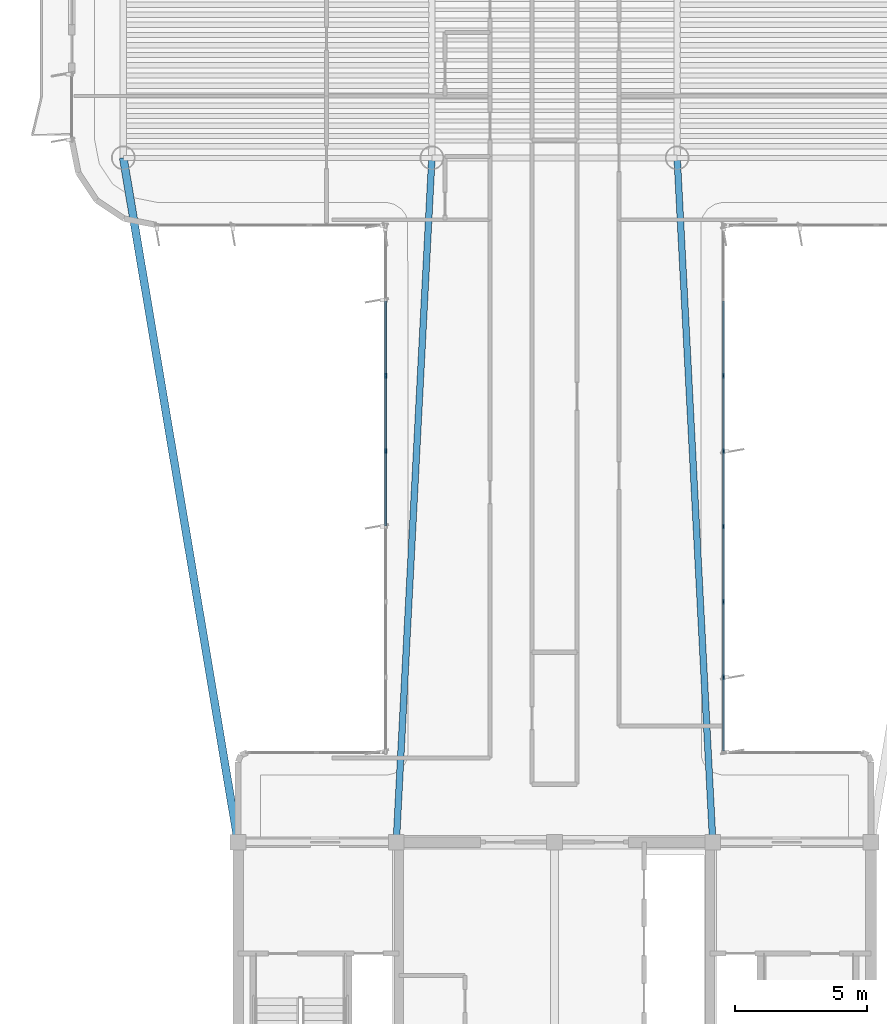
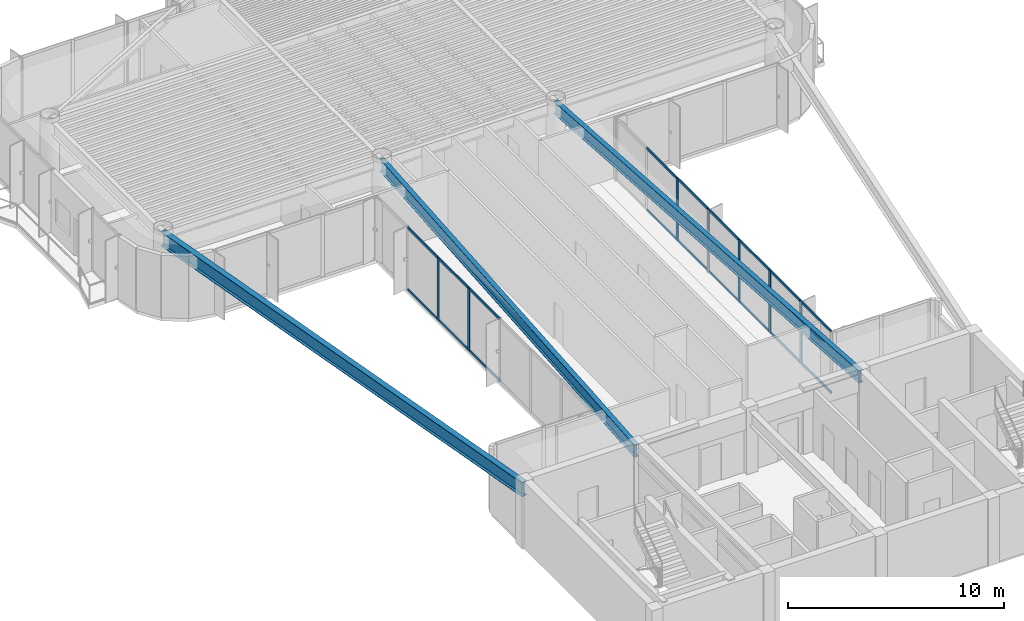
# One storey, part 3 of 15: 25 members, 3 beams, 2 elements without a shape of their own.
"""IFC4 building model written with IfcOpenShell, lengths in metres."""

from ifc_helpers import new_model, si_unit, direction, frame, origin, origin_2d, place, context, subcontext, project, spatial, rectangle, i_section, extrude, source, transform, mapped, material, layer, layer_set, material_profile, profile_set, type_object, element, aggregate, save


model = new_model("IFC4")

# Units and contexts
model_context = context("Model", 3, precision=1e-05, world=origin(), true_north=direction((0.0, 1.0)))
body_context = subcontext(model_context, "Body", "Model", "MODEL_VIEW")
ifc_project = project(units=[si_unit("LENGTHUNIT", "METRE"), si_unit("AREAUNIT", "SQUARE_METRE"), si_unit("VOLUMEUNIT", "CUBIC_METRE"), si_unit("PLANEANGLEUNIT", "RADIAN"), si_unit("MASSUNIT", "GRAM", prefix="KILO")], contexts=[model_context])

# Site, building, storey
site_placement = place(None, origin())
site = spatial("IfcSite", under=ifc_project, at=site_placement, CompositionType="ELEMENT")
building_placement = place(site_placement, origin())
building = spatial("IfcBuilding", under=site, at=building_placement, Name="Brelvock Crest Care Tower", CompositionType="ELEMENT")
storey_placement = place(building_placement, frame((0.0, 0.0, 268.3798828125)))
storey = spatial("IfcBuildingStorey", under=building, at=storey_placement, Name="L68", CompositionType="ELEMENT", Elevation=268.3798828125)

# Beams
ifc_material_1 = material(Name="Steel Grade 350", Category="steel")
ifc_material_profile_1 = material_profile(ifc_material_1, i_section(OverallWidth=0.25, OverallDepth=0.699951171875, WebThickness=0.011962890625, FlangeThickness=0.02001953125, at=origin_2d()), Name="700WB150")
ifc_profile_set_1 = profile_set([ifc_material_profile_1], Name="Steel Grade 350")
beam_type_1 = type_object("IfcBeamType", Name="BM-G4", PredefinedType="BEAM", material=ifc_profile_set_1)
shared_shape_1 = source(origin(), body_context, "Body", "SweptSolid", [
    extrude(i_section(OverallWidth=0.25, OverallDepth=0.699951171875, WebThickness=0.011962890625, FlangeThickness=0.02001953125, at=origin_2d()), origin(), (0.0, 0.0, 1.0), 25.985107421875),
])
for number, where, z_axis, x_axis, name in (
    (1, (30.0, 18.0, 3.18017578125), (0.051956711656, 0.998649337913, 0.0), (-0.998649337913, 0.051956711656, 0.0), "BM-THRW-L68"),
    (2, (42.0, 18.0, 3.18017578125), (-0.051956711656, 0.998649337913, 0.0), (-0.998649337913, -0.051956711656, 0.0), "BM-THRE-L68"),
):
    element("IfcBeam", number, at=place(storey_placement, frame(where, z_axis=z_axis, x_axis=x_axis)), inside=storey, type_object=beam_type_1, Name=name, PredefinedType="BEAM", context=body_context, shape_type="MappedRepresentation", body=[
        mapped(shared_shape_1, transform((0.0, 0.0, 0.0), x_axis=(1.0, 0.0, 0.0), y_axis=(0.0, 1.0, 0.0), z_axis=(0.0, 0.0, 1.0), scale=1.0)),
    ])
ifc_material_profile_2 = material_profile(ifc_material_1, i_section(OverallWidth=0.300048828125, OverallDepth=0.800048828125, WebThickness=0.013916015625, FlangeThickness=0.02197265625, at=origin_2d()), Name="800WB192")
ifc_profile_set_2 = profile_set([ifc_material_profile_2], Name="Steel Grade 350")
beam_type_2 = type_object("IfcBeamType", Name="BM-G5", PredefinedType="BEAM", material=ifc_profile_set_2)
shared_shape_2 = source(origin(), body_context, "Body", "SweptSolid", [
    extrude(i_section(OverallWidth=0.300048828125, OverallDepth=0.800048828125, WebThickness=0.013916015625, FlangeThickness=0.02197265625, at=origin_2d()), origin(), (0.0, 0.0, 1.0), 26.31201171875),
])
beam_placement = place(storey_placement, frame((24.0, 18.0, 3.130126953125), z_axis=(-0.165327282709, 0.986238758918, 0.0), x_axis=(-0.986238758918, -0.165327282709, 0.0)))
element("IfcBeam", 3, at=beam_placement, inside=storey, type_object=beam_type_2, Name="BM-THRO-W-L68", PredefinedType="BEAM", context=body_context, shape_type="MappedRepresentation", body=[
    mapped(shared_shape_2, transform((0.0, 0.0, 0.0), x_axis=(1.0, 0.0, 0.0), y_axis=(0.0, 1.0, 0.0), z_axis=(0.0, 0.0, 1.0), scale=1.0)),
])

# Curtain wall, members
ifc_material_2 = material(Name="Dark Glass Double Glazed Low-E", Category="glass")
ifc_layer = layer(ifc_material_2, 0.239990234375, Name="CWS-5")
ifc_layer_set = layer_set([ifc_layer], Name="Dark Glass Double Glazed Low-E")
curtain_wall_type = type_object("IfcCurtainWallType", Name="CWS-5", PredefinedType="NOTDEFINED", material=ifc_layer_set)
curtain_wall_1_placement = place(storey_placement, origin())
curtain_wall_1 = element("IfcCurtainWall", 4, at=curtain_wall_1_placement, inside=storey, type_object=curtain_wall_type, Name="L68 Curtain Wall E11", PredefinedType="NOTDEFINED")
ifc_material_3 = material(Name="Aluminium 6063-T6", Category="aluminium")
ifc_material_profile_3 = material_profile(ifc_material_3, rectangle(XDim=0.06005859375, YDim=0.179931640625, at=origin_2d()), Name="ALU60x180")
ifc_profile_set_3 = profile_set([ifc_material_profile_3], Name="Aluminium 6063-T6")
member_type_1 = type_object("IfcMemberType", Name="CWM-2", PredefinedType="MULLION", material=ifc_profile_set_3)
shared_shape_3 = source(origin(), body_context, "Body", "SweptSolid", [
    extrude(rectangle(XDim=0.06005859375, YDim=0.179931640625, at=origin_2d()), origin(), (0.0, 0.0, 1.0), 3.530029296875),
])
member_1_placement = place(storey_placement, frame((29.60009765625, 32.82861328125, 0.0), z_axis=(0.0, 0.0, 1.0), x_axis=(-1.0, 0.0, 0.0)))
member_1 = element("IfcMember", 5, at=member_1_placement, type_object=member_type_1, Name="CW-5 mullion 5", PredefinedType="MULLION", context=body_context, shape_type="MappedRepresentation", body=[
    mapped(shared_shape_3, transform((0.0, 0.0, 0.0), x_axis=(1.0, 0.0, 0.0), y_axis=(0.0, 1.0, 0.0), z_axis=(0.0, 0.0, 1.0), scale=1.0)),
])
member_2_placement = place(storey_placement, frame((29.60009765625, 35.685791015625, 0.0), z_axis=(0.0, 0.0, 1.0), x_axis=(-1.0, 0.0, 0.0)))
member_2 = element("IfcMember", 6, at=member_2_placement, type_object=member_type_1, Name="CW-5 mullion 6", PredefinedType="MULLION", context=body_context, shape_type="MappedRepresentation", body=[
    mapped(shared_shape_3, transform((0.0, 0.0, 0.0), x_axis=(1.0, 0.0, 0.0), y_axis=(0.0, 1.0, 0.0), z_axis=(0.0, 0.0, 1.0), scale=1.0)),
])

curtain_wall_2_placement = place(storey_placement, origin())
curtain_wall_2 = element("IfcCurtainWall", 7, at=curtain_wall_2_placement, inside=storey, type_object=curtain_wall_type, Name="L68 Curtain Wall E45", PredefinedType="NOTDEFINED")
member_3_placement = place(storey_placement, frame((42.39990234375, 35.685791015625, 0.0), z_axis=(0.0, 0.0, 1.0), x_axis=(1.0, 0.0, 0.0)))
member_3 = element("IfcMember", 8, at=member_3_placement, type_object=member_type_1, Name="CW-5 mullion 3", PredefinedType="MULLION", context=body_context, shape_type="MappedRepresentation", body=[
    mapped(shared_shape_3, transform((0.0, 0.0, 0.0), x_axis=(1.0, 0.0, 0.0), y_axis=(0.0, 1.0, 0.0), z_axis=(0.0, 0.0, 1.0), scale=1.0)),
])
member_4_placement = place(storey_placement, frame((42.39990234375, 32.82861328125, 0.0), z_axis=(0.0, 0.0, 1.0), x_axis=(1.0, 0.0, 0.0)))
member_4 = element("IfcMember", 9, at=member_4_placement, type_object=member_type_1, Name="CW-5 mullion 4", PredefinedType="MULLION", context=body_context, shape_type="MappedRepresentation", body=[
    mapped(shared_shape_3, transform((0.0, 0.0, 0.0), x_axis=(1.0, 0.0, 0.0), y_axis=(0.0, 1.0, 0.0), z_axis=(0.0, 0.0, 1.0), scale=1.0)),
])
member_5_placement = place(storey_placement, frame((42.39990234375, 29.971435546875, 0.0), z_axis=(0.0, 0.0, 1.0), x_axis=(1.0, 0.0, 0.0)))
member_5 = element("IfcMember", 10, at=member_5_placement, type_object=member_type_1, Name="CW-5 mullion 5", PredefinedType="MULLION", context=body_context, shape_type="MappedRepresentation", body=[
    mapped(shared_shape_3, transform((0.0, 0.0, 0.0), x_axis=(1.0, 0.0, 0.0), y_axis=(0.0, 1.0, 0.0), z_axis=(0.0, 0.0, 1.0), scale=1.0)),
])
member_6_placement = place(storey_placement, frame((42.39990234375, 27.1142578125, 0.0), z_axis=(0.0, 0.0, 1.0), x_axis=(1.0, 0.0, 0.0)))
member_6 = element("IfcMember", 11, at=member_6_placement, type_object=member_type_1, Name="CW-5 mullion 6", PredefinedType="MULLION", context=body_context, shape_type="MappedRepresentation", body=[
    mapped(shared_shape_3, transform((0.0, 0.0, 0.0), x_axis=(1.0, 0.0, 0.0), y_axis=(0.0, 1.0, 0.0), z_axis=(0.0, 0.0, 1.0), scale=1.0)),
])
member_7_placement = place(storey_placement, frame((42.39990234375, 24.257080078125, 0.0), z_axis=(0.0, 0.0, 1.0), x_axis=(1.0, 0.0, 0.0)))
member_7 = element("IfcMember", 12, at=member_7_placement, type_object=member_type_1, Name="CW-5 mullion 7", PredefinedType="MULLION", context=body_context, shape_type="MappedRepresentation", body=[
    mapped(shared_shape_3, transform((0.0, 0.0, 0.0), x_axis=(1.0, 0.0, 0.0), y_axis=(0.0, 1.0, 0.0), z_axis=(0.0, 0.0, 1.0), scale=1.0)),
])
ifc_material_profile_4 = material_profile(ifc_material_3, rectangle(XDim=0.06005859375, YDim=0.139892578125, at=origin_2d()), Name="ALU60x140")
ifc_profile_set_4 = profile_set([ifc_material_profile_4], Name="Aluminium 6063-T6")
member_type_2 = type_object("IfcMemberType", Name="CWT-2", PredefinedType="USERDEFINED", material=ifc_profile_set_4)
shared_shape_4 = source(origin(), body_context, "Body", "SweptSolid", [
    extrude(rectangle(XDim=0.06005859375, YDim=0.139892578125, at=origin_2d()), origin(), (0.0, 0.0, 1.0), 2.76708984375),
])
member_8_placement = place(storey_placement, frame((42.39990234375, 24.22705078125, 0.030029296875), z_axis=(0.0, -1.0, 0.0), x_axis=(1.0, 0.0, 0.0)))
member_8 = element("IfcMember", 13, at=member_8_placement, type_object=member_type_2, Name="CW-5 transom 7.1", ObjectType="TRANSOM", PredefinedType="USERDEFINED", context=body_context, shape_type="MappedRepresentation", body=[
    mapped(shared_shape_4, transform((0.0, 0.0, 0.0), x_axis=(1.0, 0.0, 0.0), y_axis=(0.0, 1.0, 0.0), z_axis=(0.0, 0.0, 1.0), scale=1.0)),
])
member_9_placement = place(storey_placement, frame((42.39990234375, 24.22705078125, 3.5), z_axis=(0.0, -1.0, 0.0), x_axis=(1.0, 0.0, 0.0)))
member_9 = element("IfcMember", 14, at=member_9_placement, type_object=member_type_2, Name="CW-5 transom 7.2", ObjectType="TRANSOM", PredefinedType="USERDEFINED", context=body_context, shape_type="MappedRepresentation", body=[
    mapped(shared_shape_4, transform((0.0, 0.0, 0.0), x_axis=(1.0, 0.0, 0.0), y_axis=(0.0, 1.0, 0.0), z_axis=(0.0, 0.0, 1.0), scale=1.0)),
])

# Member
shared_shape_5 = source(origin(), body_context, "Body", "SweptSolid", [
    extrude(rectangle(XDim=0.06005859375, YDim=0.139892578125, at=origin_2d()), origin(), (0.0, 0.0, 1.0), 2.797119140625),
])
member_10_placement = place(storey_placement, frame((29.60009765625, 30.00146484375, 0.030029296875), z_axis=(0.0, 1.0, 0.0), x_axis=(-1.0, 0.0, 0.0)))
member_10 = element("IfcMember", 15, at=member_10_placement, type_object=member_type_2, Name="CW-5 transom 4.1", ObjectType="TRANSOM", PredefinedType="USERDEFINED", context=body_context, shape_type="MappedRepresentation", body=[
    mapped(shared_shape_5, transform((0.0, 0.0, 0.0), x_axis=(1.0, 0.0, 0.0), y_axis=(0.0, 1.0, 0.0), z_axis=(0.0, 0.0, 1.0), scale=1.0)),
])

member_11_placement = place(storey_placement, frame((29.60009765625, 30.00146484375, 3.5), z_axis=(0.0, 1.0, 0.0), x_axis=(-1.0, 0.0, 0.0)))
member_11 = element("IfcMember", 16, at=member_11_placement, type_object=member_type_2, Name="CW-5 transom 4.2", ObjectType="TRANSOM", PredefinedType="USERDEFINED", context=body_context, shape_type="MappedRepresentation", body=[
    mapped(shared_shape_5, transform((0.0, 0.0, 0.0), x_axis=(1.0, 0.0, 0.0), y_axis=(0.0, 1.0, 0.0), z_axis=(0.0, 0.0, 1.0), scale=1.0)),
])

member_12_placement = place(storey_placement, frame((29.60009765625, 32.858642578125, 0.030029296875), z_axis=(0.0, 1.0, 0.0), x_axis=(-1.0, 0.0, 0.0)))
member_12 = element("IfcMember", 17, at=member_12_placement, type_object=member_type_2, Name="CW-5 transom 5.1", ObjectType="TRANSOM", PredefinedType="USERDEFINED", context=body_context, shape_type="MappedRepresentation", body=[
    mapped(shared_shape_5, transform((0.0, 0.0, 0.0), x_axis=(1.0, 0.0, 0.0), y_axis=(0.0, 1.0, 0.0), z_axis=(0.0, 0.0, 1.0), scale=1.0)),
])

member_13_placement = place(storey_placement, frame((29.60009765625, 32.858642578125, 3.5), z_axis=(0.0, 1.0, 0.0), x_axis=(-1.0, 0.0, 0.0)))
member_13 = element("IfcMember", 18, at=member_13_placement, type_object=member_type_2, Name="CW-5 transom 5.2", ObjectType="TRANSOM", PredefinedType="USERDEFINED", context=body_context, shape_type="MappedRepresentation", body=[
    mapped(shared_shape_5, transform((0.0, 0.0, 0.0), x_axis=(1.0, 0.0, 0.0), y_axis=(0.0, 1.0, 0.0), z_axis=(0.0, 0.0, 1.0), scale=1.0)),
])

member_14_placement = place(storey_placement, frame((29.60009765625, 35.7158203125, 0.030029296875), z_axis=(0.0, 1.0, 0.0), x_axis=(-1.0, 0.0, 0.0)))
member_14 = element("IfcMember", 19, at=member_14_placement, type_object=member_type_2, Name="CW-5 transom 6.1", ObjectType="TRANSOM", PredefinedType="USERDEFINED", context=body_context, shape_type="MappedRepresentation", body=[
    mapped(shared_shape_5, transform((0.0, 0.0, 0.0), x_axis=(1.0, 0.0, 0.0), y_axis=(0.0, 1.0, 0.0), z_axis=(0.0, 0.0, 1.0), scale=1.0)),
])

member_15_placement = place(storey_placement, frame((29.60009765625, 35.7158203125, 3.5), z_axis=(0.0, 1.0, 0.0), x_axis=(-1.0, 0.0, 0.0)))
member_15 = element("IfcMember", 20, at=member_15_placement, type_object=member_type_2, Name="CW-5 transom 6.2", ObjectType="TRANSOM", PredefinedType="USERDEFINED", context=body_context, shape_type="MappedRepresentation", body=[
    mapped(shared_shape_5, transform((0.0, 0.0, 0.0), x_axis=(1.0, 0.0, 0.0), y_axis=(0.0, 1.0, 0.0), z_axis=(0.0, 0.0, 1.0), scale=1.0)),
])

aggregate(curtain_wall_1, [member_1, member_2, member_10, member_11, member_12, member_13, member_14, member_15])

member_16_placement = place(storey_placement, frame((42.39990234375, 38.512939453125, 0.030029296875), z_axis=(0.0, -1.0, 0.0), x_axis=(1.0, 0.0, 0.0)))
member_16 = element("IfcMember", 21, at=member_16_placement, type_object=member_type_2, Name="CW-5 transom 2.1", ObjectType="TRANSOM", PredefinedType="USERDEFINED", context=body_context, shape_type="MappedRepresentation", body=[
    mapped(shared_shape_5, transform((0.0, 0.0, 0.0), x_axis=(1.0, 0.0, 0.0), y_axis=(0.0, 1.0, 0.0), z_axis=(0.0, 0.0, 1.0), scale=1.0)),
])

member_17_placement = place(storey_placement, frame((42.39990234375, 38.512939453125, 3.5), z_axis=(0.0, -1.0, 0.0), x_axis=(1.0, 0.0, 0.0)))
member_17 = element("IfcMember", 22, at=member_17_placement, type_object=member_type_2, Name="CW-5 transom 2.2", ObjectType="TRANSOM", PredefinedType="USERDEFINED", context=body_context, shape_type="MappedRepresentation", body=[
    mapped(shared_shape_5, transform((0.0, 0.0, 0.0), x_axis=(1.0, 0.0, 0.0), y_axis=(0.0, 1.0, 0.0), z_axis=(0.0, 0.0, 1.0), scale=1.0)),
])

member_18_placement = place(storey_placement, frame((42.39990234375, 35.65576171875, 0.030029296875), z_axis=(0.0, -1.0, 0.0), x_axis=(1.0, 0.0, 0.0)))
member_18 = element("IfcMember", 23, at=member_18_placement, type_object=member_type_2, Name="CW-5 transom 3.1", ObjectType="TRANSOM", PredefinedType="USERDEFINED", context=body_context, shape_type="MappedRepresentation", body=[
    mapped(shared_shape_5, transform((0.0, 0.0, 0.0), x_axis=(1.0, 0.0, 0.0), y_axis=(0.0, 1.0, 0.0), z_axis=(0.0, 0.0, 1.0), scale=1.0)),
])

member_19_placement = place(storey_placement, frame((42.39990234375, 35.65576171875, 3.5), z_axis=(0.0, -1.0, 0.0), x_axis=(1.0, 0.0, 0.0)))
member_19 = element("IfcMember", 24, at=member_19_placement, type_object=member_type_2, Name="CW-5 transom 3.2", ObjectType="TRANSOM", PredefinedType="USERDEFINED", context=body_context, shape_type="MappedRepresentation", body=[
    mapped(shared_shape_5, transform((0.0, 0.0, 0.0), x_axis=(1.0, 0.0, 0.0), y_axis=(0.0, 1.0, 0.0), z_axis=(0.0, 0.0, 1.0), scale=1.0)),
])

member_20_placement = place(storey_placement, frame((42.39990234375, 32.798583984375, 0.030029296875), z_axis=(0.0, -1.0, 0.0), x_axis=(1.0, 0.0, 0.0)))
member_20 = element("IfcMember", 25, at=member_20_placement, type_object=member_type_2, Name="CW-5 transom 4.1", ObjectType="TRANSOM", PredefinedType="USERDEFINED", context=body_context, shape_type="MappedRepresentation", body=[
    mapped(shared_shape_5, transform((0.0, 0.0, 0.0), x_axis=(1.0, 0.0, 0.0), y_axis=(0.0, 1.0, 0.0), z_axis=(0.0, 0.0, 1.0), scale=1.0)),
])

member_21_placement = place(storey_placement, frame((42.39990234375, 32.798583984375, 3.5), z_axis=(0.0, -1.0, 0.0), x_axis=(1.0, 0.0, 0.0)))
member_21 = element("IfcMember", 26, at=member_21_placement, type_object=member_type_2, Name="CW-5 transom 4.2", ObjectType="TRANSOM", PredefinedType="USERDEFINED", context=body_context, shape_type="MappedRepresentation", body=[
    mapped(shared_shape_5, transform((0.0, 0.0, 0.0), x_axis=(1.0, 0.0, 0.0), y_axis=(0.0, 1.0, 0.0), z_axis=(0.0, 0.0, 1.0), scale=1.0)),
])

member_22_placement = place(storey_placement, frame((42.39990234375, 29.94140625, 0.030029296875), z_axis=(0.0, -1.0, 0.0), x_axis=(1.0, 0.0, 0.0)))
member_22 = element("IfcMember", 27, at=member_22_placement, type_object=member_type_2, Name="CW-5 transom 5.1", ObjectType="TRANSOM", PredefinedType="USERDEFINED", context=body_context, shape_type="MappedRepresentation", body=[
    mapped(shared_shape_5, transform((0.0, 0.0, 0.0), x_axis=(1.0, 0.0, 0.0), y_axis=(0.0, 1.0, 0.0), z_axis=(0.0, 0.0, 1.0), scale=1.0)),
])

member_23_placement = place(storey_placement, frame((42.39990234375, 29.94140625, 3.5), z_axis=(0.0, -1.0, 0.0), x_axis=(1.0, 0.0, 0.0)))
member_23 = element("IfcMember", 28, at=member_23_placement, type_object=member_type_2, Name="CW-5 transom 5.2", ObjectType="TRANSOM", PredefinedType="USERDEFINED", context=body_context, shape_type="MappedRepresentation", body=[
    mapped(shared_shape_5, transform((0.0, 0.0, 0.0), x_axis=(1.0, 0.0, 0.0), y_axis=(0.0, 1.0, 0.0), z_axis=(0.0, 0.0, 1.0), scale=1.0)),
])

member_24_placement = place(storey_placement, frame((42.39990234375, 27.084228515625, 0.030029296875), z_axis=(0.0, -1.0, 0.0), x_axis=(1.0, 0.0, 0.0)))
member_24 = element("IfcMember", 29, at=member_24_placement, type_object=member_type_2, Name="CW-5 transom 6.1", ObjectType="TRANSOM", PredefinedType="USERDEFINED", context=body_context, shape_type="MappedRepresentation", body=[
    mapped(shared_shape_5, transform((0.0, 0.0, 0.0), x_axis=(1.0, 0.0, 0.0), y_axis=(0.0, 1.0, 0.0), z_axis=(0.0, 0.0, 1.0), scale=1.0)),
])

member_25_placement = place(storey_placement, frame((42.39990234375, 27.084228515625, 3.5), z_axis=(0.0, -1.0, 0.0), x_axis=(1.0, 0.0, 0.0)))
member_25 = element("IfcMember", 30, at=member_25_placement, type_object=member_type_2, Name="CW-5 transom 6.2", ObjectType="TRANSOM", PredefinedType="USERDEFINED", context=body_context, shape_type="MappedRepresentation", body=[
    mapped(shared_shape_5, transform((0.0, 0.0, 0.0), x_axis=(1.0, 0.0, 0.0), y_axis=(0.0, 1.0, 0.0), z_axis=(0.0, 0.0, 1.0), scale=1.0)),
])

aggregate(curtain_wall_2, [member_3, member_4, member_5, member_6, member_7, member_16, member_17, member_18, member_19, member_20, member_21, member_22, member_23, member_24, member_25, member_8, member_9])

save(model, "model.ifc")
